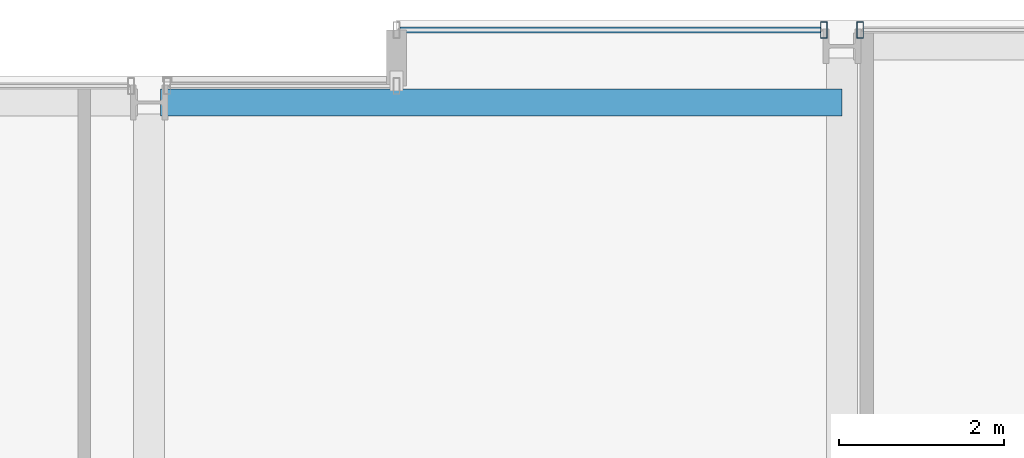
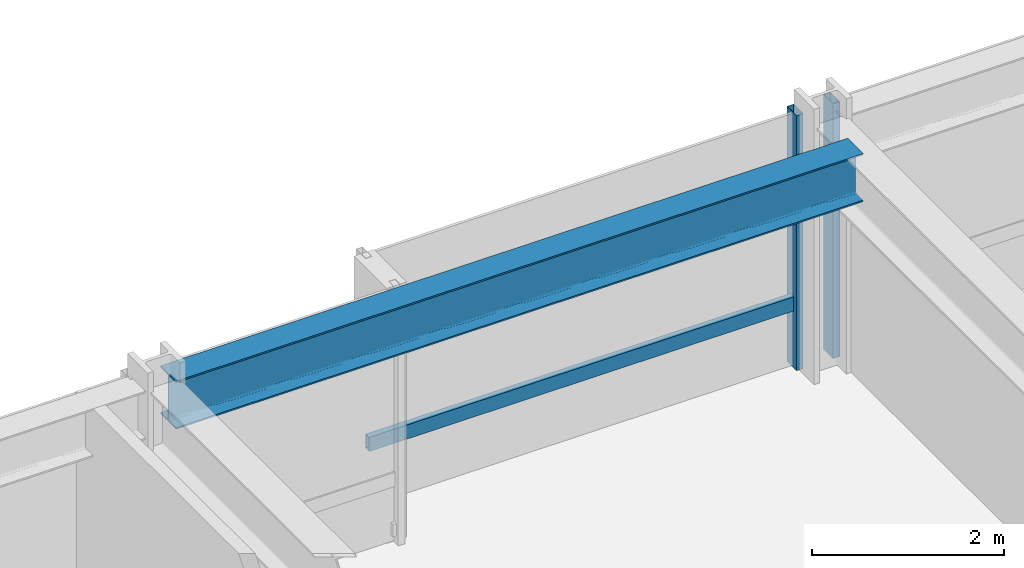
# One storey, part 25 of 34: 3 members, 1 beam, 2 elements without a shape of their own.
"""IFC4 building model written with IfcOpenShell, lengths in metres."""

from ifc_helpers import new_model, si_unit, direction, frame, origin, origin_2d, place, context, subcontext, project, spatial, hollow_rectangle, i_section, extrude, material, layer, layer_set, material_profile, profile_set, type_object, element, aggregate, save


model = new_model("IFC4")

# Units and contexts
model_context = context("Model", 3, precision=1e-05, world=origin(), true_north=direction((0.0, 1.0)))
body_context = subcontext(model_context, "Body", "Model", "MODEL_VIEW")
ifc_project = project(units=[si_unit("LENGTHUNIT", "METRE"), si_unit("AREAUNIT", "SQUARE_METRE"), si_unit("VOLUMEUNIT", "CUBIC_METRE"), si_unit("PLANEANGLEUNIT", "RADIAN"), si_unit("MASSUNIT", "GRAM", prefix="KILO")], contexts=[model_context])

# Site, building, storey
site_placement = place(None, origin())
site = spatial("IfcSite", under=ifc_project, at=site_placement, CompositionType="ELEMENT")
building_placement = place(site_placement, origin())
building = spatial("IfcBuilding", under=site, at=building_placement, Name="Drelvath Grand Hotel", CompositionType="ELEMENT")
storey_placement = place(building_placement, frame((0.0, 0.0, 109.300048828125)))
storey = spatial("IfcBuildingStorey", under=building, at=storey_placement, Name="L27", CompositionType="ELEMENT", Elevation=109.300048828125)

# Curtain wall, members
ifc_material_1 = material(Name="Champagne Bronze Anodised Aluminium Frame", Category="aluminium")
ifc_layer = layer(ifc_material_1, 0.199951171875)
ifc_layer_set = layer_set([ifc_layer], Name="Champagne Bronze Anodised Aluminium Frame")
curtain_wall_type = type_object("IfcCurtainWallType", Name="Stick Curtain Wall CW-03 Champagne Bronze Mid-Rise", PredefinedType="NOTDEFINED", material=ifc_layer_set)
curtain_wall_1_placement = place(storey_placement, origin())
curtain_wall_1 = element("IfcCurtainWall", 1, at=curtain_wall_1_placement, inside=storey, type_object=curtain_wall_type, Name="L27 CW-03 Curtain Wall CW03-L27-NE1", PredefinedType="NOTDEFINED")
ifc_material_profile_1 = material_profile(ifc_material_1, hollow_rectangle(XDim=0.074951171875, YDim=0.179931640625, WallThickness=0.0048828125, at=origin_2d()), Name="HSS180X75X5")
ifc_profile_set_1 = profile_set([ifc_material_profile_1], Name="Champagne Bronze Anodised Aluminium Frame")
member_type_1 = type_object("IfcMemberType", Name="Curtain Wall Horizontal Transom CW-03 HSS180X75X5", PredefinedType="USERDEFINED", material=ifc_profile_set_1)
member_1_placement = place(storey_placement, frame((3.0400390625, 53.8798828125, 0.81005859375), z_axis=(1.0, 0.0, 0.0), x_axis=(0.0, 1.0, 0.0)))
member_1 = element("IfcMember", 2, at=member_1_placement, type_object=member_type_1, Name="CW03-L27-NE1 Sill Transom", ObjectType="TRANSOM", PredefinedType="USERDEFINED", context=body_context, shape_type="SweptSolid", body=[
    extrude(hollow_rectangle(XDim=0.074951171875, YDim=0.179931640625, WallThickness=0.0048828125, at=origin_2d()), origin(), (0.0, 0.0, 1.0), 5.100341796875),
])
ifc_material_profile_2 = material_profile(ifc_material_1, hollow_rectangle(XDim=0.080078125, YDim=0.199951171875, WallThickness=0.0048828125, at=origin_2d()), Name="HSS200X80X5")
ifc_profile_set_2 = profile_set([ifc_material_profile_2], Name="Champagne Bronze Anodised Aluminium Frame")
member_type_2 = type_object("IfcMemberType", Name="Curtain Wall Vertical Mullion CW-03 HSS200X80X5", PredefinedType="MULLION", material=ifc_profile_set_2)
member_2_placement = place(storey_placement, frame((8.180419921875, 53.8798828125, 0.0), z_axis=(0.0, 0.0, 1.0), x_axis=(1.0, 0.0, 0.0)))
member_2 = element("IfcMember", 3, at=member_2_placement, type_object=member_type_2, Name="CW03-L27-NE1 Mullion 2", PredefinedType="MULLION", context=body_context, shape_type="SweptSolid", body=[
    extrude(hollow_rectangle(XDim=0.080078125, YDim=0.199951171875, WallThickness=0.0048828125, at=origin_2d()), origin(), (0.0, 0.0, 1.0), 3.239990234375),
])
aggregate(curtain_wall_1, [member_2, member_1])

# Curtain wall, member
curtain_wall_2_placement = place(storey_placement, origin())
curtain_wall_2 = element("IfcCurtainWall", 4, at=curtain_wall_2_placement, inside=storey, type_object=curtain_wall_type, Name="L27 CW-03 Curtain Wall CW03-L27-NE2", PredefinedType="NOTDEFINED")
member_3_placement = place(storey_placement, frame((8.61962890625, 53.8798828125, 0.0), z_axis=(0.0, 0.0, 1.0), x_axis=(1.0, 0.0, 0.0)))
member_3 = element("IfcMember", 5, at=member_3_placement, type_object=member_type_2, Name="CW03-L27-NE2 Mullion 1", PredefinedType="MULLION", context=body_context, shape_type="SweptSolid", body=[
    extrude(hollow_rectangle(XDim=0.080078125, YDim=0.199951171875, WallThickness=0.0048828125, at=origin_2d()), origin(), (0.0, 0.0, 1.0), 3.239990234375),
])
aggregate(curtain_wall_2, [member_3])

# Beam
ifc_material_2 = material(Name="Steel ASTM A992 Gr 50", Category="steel")
ifc_material_profile_3 = material_profile(ifc_material_2, i_section(OverallWidth=0.323974609375, OverallDepth=0.611083984375, WebThickness=0.0126953125, FlangeThickness=0.01904296875, FilletRadius=0.02197265625, at=origin_2d()), Name="W24X104")
ifc_profile_set_3 = profile_set([ifc_material_profile_3], Name="Steel ASTM A992 Gr 50")
beam_type = type_object("IfcBeamType", Name="Perimeter Spandrel Beam W24X104", PredefinedType="SPANDREL", material=ifc_profile_set_3)
beam_placement = place(storey_placement, frame((0.139892578125, 53.0, 2.9345703125), z_axis=(1.0, 0.0, 0.0), x_axis=(0.0, 1.0, 0.0)))
element("IfcBeam", 6, at=beam_placement, inside=storey, type_object=beam_type, Name="L27 Spandrel North Mid E", PredefinedType="SPANDREL", context=body_context, shape_type="SweptSolid", body=[
    extrude(i_section(OverallWidth=0.323974609375, OverallDepth=0.611083984375, WebThickness=0.0126953125, FlangeThickness=0.01904296875, FilletRadius=0.02197265625, at=origin_2d()), origin(), (0.0, 0.0, 1.0), 8.260009765625),
])

save(model, "model.ifc")
